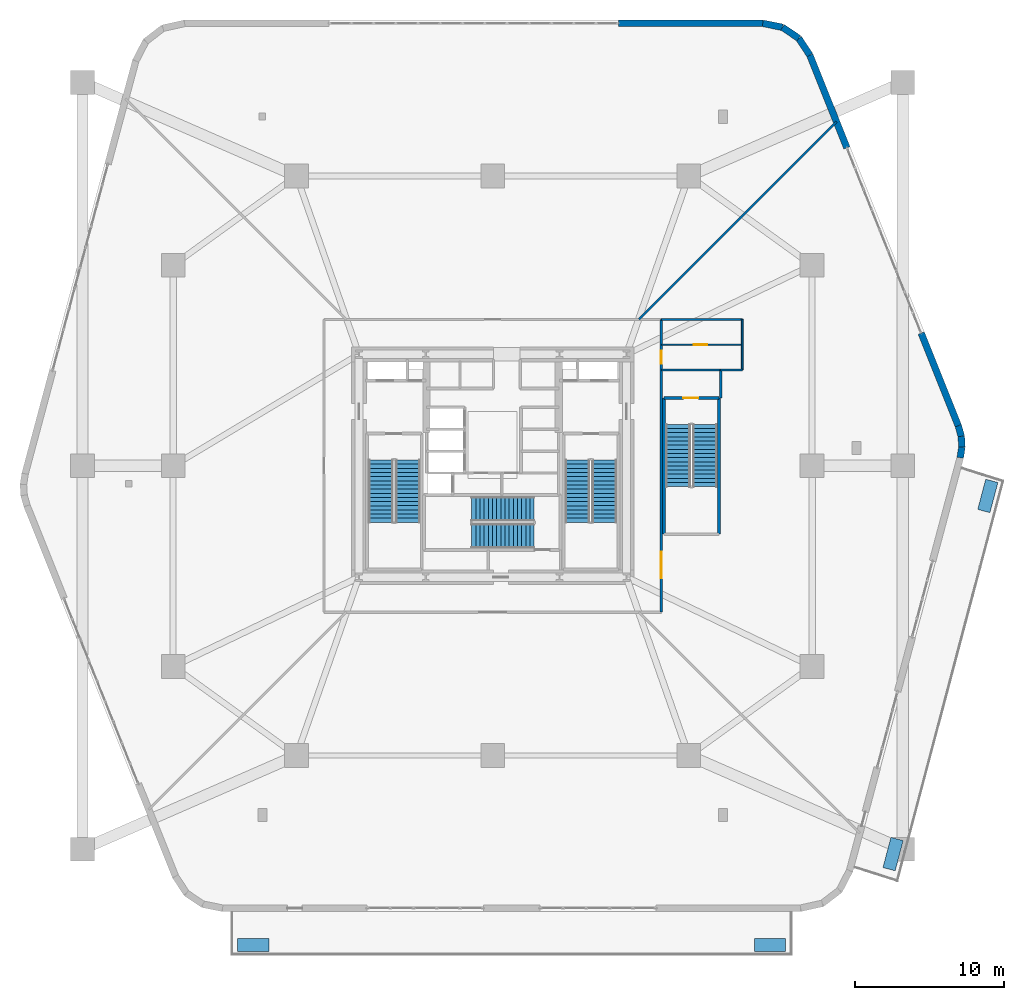
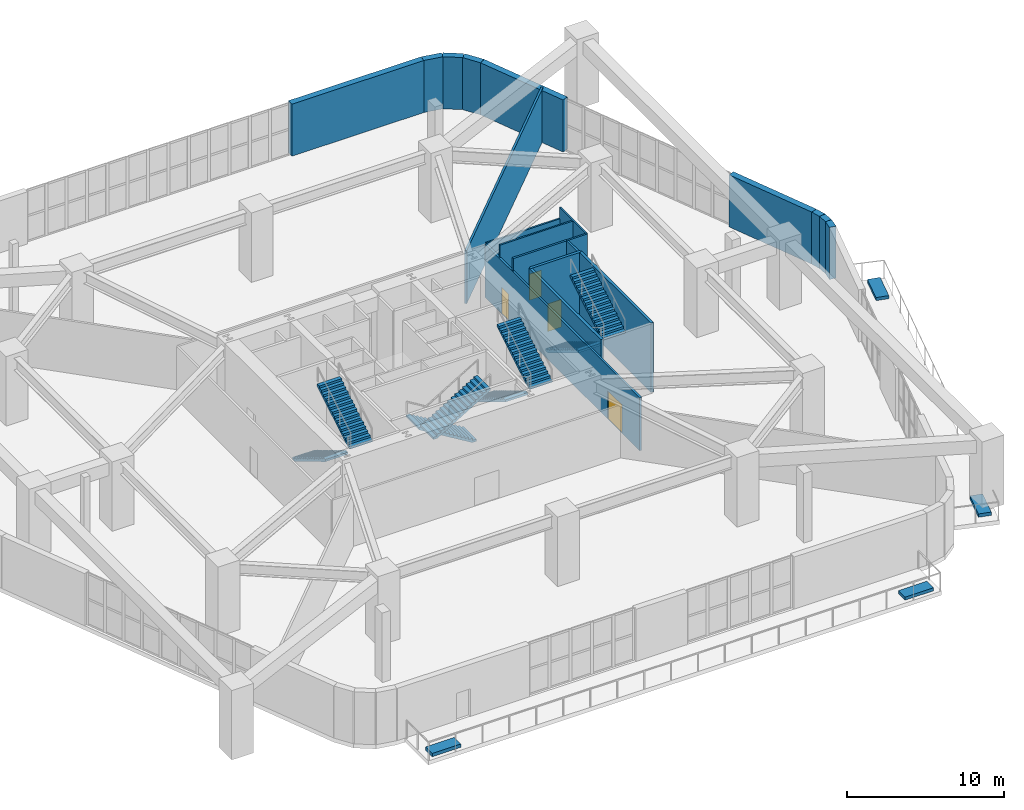
# One storey, part 29 of 34: 20 walls, 8 stair flights, 4 discrete accessories, 4 doors, 4 openings, 4 elements without a shape of their own.
"""IFC4 building model written with IfcOpenShell, lengths in metres."""

from ifc_helpers import new_model, si_unit, direction, frame, frame_2d, origin, origin_2d, place, context, subcontext, project, spatial, polyline, rectangle, outline, extrude, material, layer, layer_set, type_object, element, fill, aggregate, save


model = new_model("IFC4")

# Units and contexts
model_context = context("Model", 3, precision=1e-05, world=origin(), true_north=direction((0.0, 1.0)))
body_context = subcontext(model_context, "Body", "Model", "MODEL_VIEW")
ifc_project = project(units=[si_unit("LENGTHUNIT", "METRE"), si_unit("AREAUNIT", "SQUARE_METRE"), si_unit("VOLUMEUNIT", "CUBIC_METRE"), si_unit("PLANEANGLEUNIT", "RADIAN"), si_unit("MASSUNIT", "GRAM", prefix="KILO")], contexts=[model_context])

# Site, building, storey
site_placement = place(None, origin())
site = spatial("IfcSite", under=ifc_project, at=site_placement, CompositionType="ELEMENT")
building_placement = place(site_placement, origin())
building = spatial("IfcBuilding", under=site, at=building_placement, Name="Kilnhurst Terrace Hotel", CompositionType="ELEMENT")
storey_placement = place(building_placement, frame((0.0, 0.0, 6.0)))
storey = spatial("IfcBuildingStorey", under=building, at=storey_placement, Name="L01", CompositionType="ELEMENT", Elevation=6.0)

# Walls
ifc_material_1 = material(Name="Precast concrete C40/50", Category="concrete")
ifc_layer_1 = layer(ifc_material_1, 0.449951171875, Name="Precast concrete C40/50")
ifc_layer_set_1 = layer_set([ifc_layer_1], Name="Precast concrete C40/50")
wall_type_1 = type_object("IfcWallType", Name="WL-BRK-450", PredefinedType="SOLIDWALL", material=ifc_layer_set_1)
wall_1_placement = place(storey_placement, frame((31.46923828125, 0.538818359375, 0.0), z_axis=(0.0, 0.0, 1.0), x_axis=(0.154082468729, 0.988057990621, 0.0)))
element("IfcWall", 1, at=wall_1_placement, inside=storey, type_object=wall_type_1, Name="L01 Rounded Corner Brick Wall C3.1", PredefinedType="SOLIDWALL", context=body_context, shape_type="SweptSolid", body=[
    extrude(rectangle(XDim=0.733642578125, YDim=0.449951171875, at=frame_2d((0.36669921875, 0.0))), origin(), (0.0, 0.0, 1.0), 4.050048828125),
])
wall_2_placement = place(storey_placement, frame((31.582275390625, 1.263671875, 0.0), z_axis=(0.0, 0.0, 1.0), x_axis=(-0.059555119752, 0.998225018576, 0.0)))
element("IfcWall", 2, at=wall_2_placement, inside=storey, type_object=wall_type_1, Name="L01 Rounded Corner Brick Wall C3.2", PredefinedType="SOLIDWALL", context=body_context, shape_type="SweptSolid", body=[
    extrude(rectangle(XDim=0.721435546875, YDim=0.449951171875, at=frame_2d((0.36083984375, 0.0))), origin(), (0.0, 0.0, 1.0), 4.050048828125),
])
wall_3_placement = place(storey_placement, frame((31.539306640625, 1.98388671875, 0.0), z_axis=(0.0, 0.0, 1.0), x_axis=(-0.270543197703, 0.962707836354, 0.0)))
element("IfcWall", 3, at=wall_3_placement, inside=storey, type_object=wall_type_1, Name="L01 Rounded Corner Brick Wall C3.3", PredefinedType="SOLIDWALL", context=body_context, shape_type="SweptSolid", body=[
    extrude(rectangle(XDim=0.733642578125, YDim=0.449951171875, at=frame_2d((0.36669921875, 0.0))), origin(), (0.0, 0.0, 1.0), 4.050048828125),
])
wall_4_placement = place(storey_placement, frame((21.345458984375, 27.634521484375, 0.0), z_axis=(0.0, 0.0, 1.0), x_axis=(-0.547463611757, 0.836829489085, 0.0)))
element("IfcWall", 4, at=wall_4_placement, inside=storey, type_object=wall_type_1, Name="L01 Rounded Corner Brick Wall C4.1", PredefinedType="SOLIDWALL", context=body_context, shape_type="SweptSolid", body=[
    extrude(rectangle(XDim=1.350830078125, YDim=0.449951171875, at=frame_2d((0.67529296875, 0.0))), origin(), (0.0, 0.0, 1.0), 4.050048828125),
])
wall_5_placement = place(storey_placement, frame((20.60595703125, 28.764892578125, 0.0), z_axis=(0.0, 0.0, 1.0), x_axis=(-0.82832607687, 0.560246294389, 0.0)))
element("IfcWall", 5, at=wall_5_placement, inside=storey, type_object=wall_type_1, Name="L01 Rounded Corner Brick Wall C4.2", PredefinedType="SOLIDWALL", context=body_context, shape_type="SweptSolid", body=[
    extrude(rectangle(XDim=1.327880859375, YDim=0.449951171875, at=frame_2d((0.6640625, 0.0))), origin(), (0.0, 0.0, 1.0), 4.050048828125),
])
wall_6_placement = place(storey_placement, frame((19.506103515625, 29.5087890625, 0.0), z_axis=(0.0, 0.0, 1.0), x_axis=(-0.98039950709, 0.19701981245, 0.0)))
element("IfcWall", 6, at=wall_6_placement, inside=storey, type_object=wall_type_1, Name="L01 Rounded Corner Brick Wall C4.3", PredefinedType="SOLIDWALL", context=body_context, shape_type="SweptSolid", body=[
    extrude(rectangle(XDim=1.3505859375, YDim=0.449951171875, at=frame_2d((0.67529296875, 0.0))), origin(), (0.0, 0.0, 1.0), 4.050048828125),
])
wall_7_placement = place(storey_placement, frame((31.3408203125, 2.690185546875, 0.0), z_axis=(0.0, 0.0, 1.0), x_axis=(-0.371948252928, 0.928253466002, 0.0)))
element("IfcWall", 7, at=wall_7_placement, inside=storey, type_object=wall_type_1, Name="L01 Face 3 Brick Pier 1", PredefinedType="SOLIDWALL", context=body_context, shape_type="SweptSolid", body=[
    extrude(rectangle(XDim=6.718017578125, YDim=0.449951171875, at=frame_2d((3.35888671875, 0.0))), origin(), (0.0, 0.0, 1.0), 4.050048828125),
])
wall_8_placement = place(storey_placement, frame((23.844482421875, 21.398193359375, 0.0), z_axis=(0.0, 0.0, 1.0), x_axis=(-0.37196701808, 0.928245946644, 0.0)))
element("IfcWall", 8, at=wall_8_placement, inside=storey, type_object=wall_type_1, Name="L01 Face 3 End Brick Pier", PredefinedType="SOLIDWALL", context=body_context, shape_type="SweptSolid", body=[
    extrude(rectangle(XDim=6.718505859375, YDim=0.449951171875, at=frame_2d((3.359375, 0.0))), origin(), (0.0, 0.0, 1.0), 4.050048828125),
])
wall_9_placement = place(storey_placement, frame((18.181884765625, 29.77490234375, 0.0), z_axis=(0.0, 0.0, 1.0), x_axis=(-1.0, 0.0, 0.0)))
element("IfcWall", 9, at=wall_9_placement, inside=storey, type_object=wall_type_1, Name="L01 Face 4 Brick Pier 1", PredefinedType="SOLIDWALL", context=body_context, shape_type="SweptSolid", body=[
    extrude(rectangle(XDim=9.72900390625, YDim=0.449951171875, at=frame_2d((4.864501953125, 0.0))), origin(), (0.0, 0.0, 1.0), 4.050048828125),
])

# Wall, openings, doors
ifc_material_2 = material(Name="Acoustic Double-Gypsum Corridor Partition Assembly")
ifc_layer_2 = layer(ifc_material_2, 0.14990234375, Name="Acoustic Double-Gypsum Corridor Partition Assembly")
ifc_layer_set_2 = layer_set([ifc_layer_2], Name="Acoustic Double-Gypsum Corridor Partition Assembly")
wall_type_2 = type_object("IfcWallType", Name="WL-COR-150", PredefinedType="PARTITIONING", material=ifc_layer_set_2)
wall_10_placement = place(storey_placement, frame((11.35009765625, 9.85009765625, 0.0), z_axis=(0.0, 0.0, 1.0), x_axis=(0.0, -1.0, 0.0)))
wall_10 = element("IfcWall", 10, at=wall_10_placement, inside=storey, type_object=wall_type_2, Name="L01 Interior Wall WL-L01-COR-03", PredefinedType="PARTITIONING", context=body_context, shape_type="SweptSolid", body=[
    extrude(rectangle(XDim=19.7001953125, YDim=0.14990234375, at=frame_2d((9.85009765625, 0.0))), origin(), (0.0, 0.0, 1.0), 4.121826171875),
])
opening_1_placement = place(wall_10_placement, frame((2.10009765625, 0.0, 0.0)))
opening_1 = element("IfcOpeningElement", 11, at=opening_1_placement, cuts=wall_10, Name="Opening D-09B", PredefinedType="OPENING", context=body_context, shape_type="SweptSolid", body=[
    extrude(rectangle(XDim=0.89990234375, YDim=2.030029296875, at=frame_2d((0.449951171875, 1.01513671875))), frame((0.0, 0.0849609375, 0.0), z_axis=(0.0, -1.0, 0.0), x_axis=(1.0, 0.0, 0.0)), (0.0, 0.0, 1.0), 0.169921875),
])
opening_2_placement = place(wall_10_placement, frame((15.6279296875, 0.0, 0.0)))
opening_2 = element("IfcOpeningElement", 12, at=opening_2_placement, cuts=wall_10, Name="Opening D-18A", PredefinedType="OPENING", context=body_context, shape_type="SweptSolid", body=[
    extrude(rectangle(XDim=1.800048828125, YDim=2.199951171875, at=frame_2d((0.89990234375, 1.10009765625))), frame((0.0, 0.0849609375, 0.0), z_axis=(0.0, -1.0, 0.0), x_axis=(1.0, 0.0, 0.0)), (0.0, 0.0, 1.0), 0.169921875),
])
ifc_material_3 = material(Name="Bronze-Framed Acoustic Glazed Double Hospitality Door")
door_type_1 = type_object("IfcDoorType", Name="DR-INT-1800", OperationType="NOTDEFINED", PredefinedType="DOOR", material=ifc_material_3)
door_1_placement = place(opening_2_placement, origin())
door_1 = element("IfcDoor", 13, at=door_1_placement, inside=storey, type_object=door_type_1, Name="L01 Specialty Wood Fired Grill Restaurant Door", OperationType="DOUBLE_SWING_LEFT", OverallHeight=2.199951171875, OverallWidth=1.800048828125, PredefinedType="DOOR", context=body_context, shape_type="SweptSolid", body=[
    extrude(rectangle(XDim=1.800048828125, YDim=2.199951171875, at=frame_2d((0.89990234375, 1.10009765625))), frame((0.0, 0.02490234375, 0.0), z_axis=(0.0, -1.0, 0.0), x_axis=(1.0, 0.0, 0.0)), (0.0, 0.0, 1.0), 0.050048828125),
])
fill(opening_2, door_1)
ifc_material_4 = material(Name="Moisture-Resistant Solid-Core Restroom Door")
door_type_2 = type_object("IfcDoorType", Name="DR-INT-900", OperationType="NOTDEFINED", PredefinedType="DOOR", material=ifc_material_4)
door_2_placement = place(opening_1_placement, origin())
door_2 = element("IfcDoor", 14, at=door_2_placement, inside=storey, type_object=door_type_2, Name="L01 Public Restrooms Door", OperationType="SINGLE_SWING_LEFT", OverallHeight=2.030029296875, OverallWidth=0.89990234375, PredefinedType="DOOR", context=body_context, shape_type="SweptSolid", body=[
    extrude(rectangle(XDim=0.89990234375, YDim=2.030029296875, at=frame_2d((0.449951171875, 1.01513671875))), frame((0.0, 0.02490234375, 0.0), z_axis=(0.0, -1.0, 0.0), x_axis=(1.0, 0.0, 0.0)), (0.0, 0.0, 1.0), 0.050048828125),
])
fill(opening_1, door_2)

# Walls
wall_11_placement = place(storey_placement, frame((11.35009765625, 6.449951171875, 0.0), z_axis=(0.0, 0.0, 1.0), x_axis=(1.0, 0.0, 0.0)))
element("IfcWall", 15, at=wall_11_placement, inside=storey, type_object=wall_type_2, Name="L01 Interior Wall WL-L01-ST4-VEST-N", PredefinedType="PARTITIONING", context=body_context, shape_type="SweptSolid", body=[
    extrude(rectangle(XDim=4.0, YDim=0.14990234375, at=frame_2d((2.0, 0.0))), origin(), (0.0, 0.0, 1.0), 5.080078125),
])
wall_12_placement = place(storey_placement, frame((15.35009765625, 4.55810546875, 0.0), z_axis=(0.0, 0.0, 1.0), x_axis=(0.0, 1.0, 0.0)))
element("IfcWall", 16, at=wall_12_placement, inside=storey, type_object=wall_type_2, Name="L01 Interior Wall WL-L01-ST4-VEST-E", PredefinedType="PARTITIONING", context=body_context, shape_type="SweptSolid", body=[
    extrude(rectangle(XDim=1.891845703125, YDim=0.14990234375, at=frame_2d((0.94580078125, 0.0))), origin(), (0.0, 0.0, 1.0), 5.080078125),
])
ifc_material_5 = material(Name="120 mm Moisture-Resistant Tile-Backed Bathroom Partition")
ifc_layer_3 = layer(ifc_material_5, 0.1201171875, Name="120 mm Moisture-Resistant Tile-Backed Bathroom Partition")
ifc_layer_set_3 = layer_set([ifc_layer_3], Name="120 mm Moisture-Resistant Tile-Backed Bathroom Partition")
wall_type_3 = type_object("IfcWallType", Name="WL-PART-120", PredefinedType="PARTITIONING", material=ifc_layer_set_3)
wall_13_placement = place(storey_placement, frame((15.35009765625, 6.449951171875, 0.0), z_axis=(0.0, 0.0, 1.0), x_axis=(1.0, 0.0, 0.0)))
element("IfcWall", 17, at=wall_13_placement, inside=storey, type_object=wall_type_3, Name="L01 Interior Wall WL-L01-PWC-S", PredefinedType="PARTITIONING", context=body_context, shape_type="SweptSolid", body=[
    extrude(rectangle(XDim=1.449951171875, YDim=0.1201171875, at=frame_2d((0.72509765625, 0.0))), origin(), (0.0, 0.0, 1.0), 5.080078125),
])
wall_14_placement = place(storey_placement, frame((16.800048828125, 6.449951171875, 0.0), z_axis=(0.0, 0.0, 1.0), x_axis=(0.0, 1.0, 0.0)))
element("IfcWall", 18, at=wall_14_placement, inside=storey, type_object=wall_type_3, Name="L01 Interior Wall WL-L01-PWC-E", PredefinedType="PARTITIONING", context=body_context, shape_type="SweptSolid", body=[
    extrude(rectangle(XDim=3.400146484375, YDim=0.1201171875, at=frame_2d((1.7001953125, 0.0))), origin(), (0.0, 0.0, 1.0), 5.080078125),
])
wall_15_placement = place(storey_placement, frame((11.35009765625, 9.85009765625, 0.0), z_axis=(0.0, 0.0, 1.0), x_axis=(1.0, 0.0, 0.0)))
element("IfcWall", 19, at=wall_15_placement, inside=storey, type_object=wall_type_3, Name="L01 Interior Wall WL-L01-PWC-N", PredefinedType="PARTITIONING", context=body_context, shape_type="SweptSolid", body=[
    extrude(rectangle(XDim=5.449951171875, YDim=0.1201171875, at=frame_2d((2.72509765625, 0.0))), origin(), (0.0, 0.0, 1.0), 4.214111328125),
])

# Wall, opening, door
wall_16_placement = place(storey_placement, frame((11.35009765625, 8.14990234375, 0.0), z_axis=(0.0, 0.0, 1.0), x_axis=(1.0, 0.0, 0.0)))
wall_16 = element("IfcWall", 20, at=wall_16_placement, inside=storey, type_object=wall_type_3, Name="L01 Interior Wall WL-L01-PWC-MID", PredefinedType="PARTITIONING", context=body_context, shape_type="SweptSolid", body=[
    extrude(rectangle(XDim=5.449951171875, YDim=0.1201171875, at=frame_2d((2.72509765625, 0.0))), origin(), (0.0, 0.0, 1.0), 5.080078125),
])
opening_3_placement = place(wall_16_placement, frame((2.199951171875, 0.0, 0.0)))
opening_3 = element("IfcOpeningElement", 21, at=opening_3_placement, cuts=wall_16, Name="Opening D-09B", PredefinedType="OPENING", context=body_context, shape_type="SweptSolid", body=[
    extrude(rectangle(XDim=0.89990234375, YDim=2.030029296875, at=frame_2d((0.449951171875, 1.01513671875))), frame((0.0, 0.070068359375, 0.0), z_axis=(0.0, -1.0, 0.0), x_axis=(1.0, 0.0, 0.0)), (0.0, 0.0, 1.0), 0.14013671875),
])
door_3_placement = place(opening_3_placement, origin())
door_3 = element("IfcDoor", 22, at=door_3_placement, inside=storey, type_object=door_type_2, Name="L01 Accessible Restroom Door", OperationType="SINGLE_SWING_RIGHT", OverallHeight=2.030029296875, OverallWidth=0.89990234375, PredefinedType="DOOR", context=body_context, shape_type="SweptSolid", body=[
    extrude(rectangle(XDim=0.89990234375, YDim=2.030029296875, at=frame_2d((0.449951171875, 1.01513671875))), frame((0.0, 0.02490234375, 0.0), z_axis=(0.0, -1.0, 0.0), x_axis=(1.0, 0.0, 0.0)), (0.0, 0.0, 1.0), 0.050048828125),
])
fill(opening_3, door_3)

# Walls
ifc_material_6 = material(Name="150 mm Acoustic Gypsum Hospitality Partition")
ifc_layer_4 = layer(ifc_material_6, 0.14990234375, Name="150 mm Acoustic Gypsum Hospitality Partition")
ifc_layer_set_4 = layer_set([ifc_layer_4], Name="150 mm Acoustic Gypsum Hospitality Partition")
wall_type_4 = type_object("IfcWallType", Name="WL-PART-150", PredefinedType="PARTITIONING", material=ifc_layer_set_4)
wall_17_placement = place(storey_placement, frame((9.85009765625, 9.85009765625, 0.0), z_axis=(0.0, 0.0, 1.0), x_axis=(0.707106781187, 0.707106781187, 0.0)))
element("IfcWall", 23, at=wall_17_placement, inside=storey, type_object=wall_type_4, Name="L01 Interior Wall WL-L01-PDIV-3-1", PredefinedType="PARTITIONING", context=body_context, shape_type="SweptSolid", body=[
    extrude(rectangle(XDim=18.80126953125, YDim=0.14990234375, at=frame_2d((9.400634765625, 0.0))), origin(), (0.0, 0.0, 1.0), 4.121826171875),
])
ifc_material_7 = material(Name="Concrete C50/60", Category="concrete")
ifc_layer_5 = layer(ifc_material_7, 0.199951171875, Name="Concrete C50/60")
ifc_layer_set_5 = layer_set([ifc_layer_5], Name="Concrete C50/60")
wall_type_5 = type_object("IfcWallType", Name="WL-STAIR-RC-200", PredefinedType="SHEAR", material=ifc_layer_set_5)
for number, where, z_axis, x_axis, name in (
    (24, (11.5419921875, -4.60791015625, 0.0), (0.0, 0.0, 1.0), (0.0, 1.0, 0.0), "L01 Podium Stair ST-4 Structural Shaft Wall WL-L01-ST4-W"),
    (25, (15.22802734375, -4.60791015625, 0.0), (0.0, 0.0, 1.0), (0.0, 1.0, 0.0), "L01 Podium Stair ST-4 Structural Shaft Wall WL-L01-ST4-E"),
):
    element("IfcWall", number, at=place(storey_placement, frame(where, z_axis=z_axis, x_axis=x_axis)), inside=storey, type_object=wall_type_5, Name=name, PredefinedType="SHEAR", context=body_context, shape_type="SweptSolid", body=[
        extrude(rectangle(XDim=9.166015625, YDim=0.199951171875, at=frame_2d((4.5830078125, 0.0))), origin(), (0.0, 0.0, 1.0), 5.39990234375),
    ])

# Wall, opening, door
wall_18_placement = place(storey_placement, frame((11.5419921875, 4.55810546875, 0.0), z_axis=(0.0, 0.0, 1.0), x_axis=(1.0, 0.0, 0.0)))
wall_18 = element("IfcWall", 26, at=wall_18_placement, inside=storey, type_object=wall_type_5, Name="L01 Podium Stair ST-4 Structural Shaft Wall WL-L01-ST4-N", PredefinedType="SHEAR", context=body_context, shape_type="SweptSolid", body=[
    extrude(rectangle(XDim=3.68603515625, YDim=0.199951171875, at=frame_2d((1.843017578125, 0.0))), origin(), (0.0, 0.0, 1.0), 5.39990234375),
])
opening_4_placement = place(wall_18_placement, frame((1.300048828125, 0.0, 0.0)))
opening_4 = element("IfcOpeningElement", 27, at=opening_4_placement, cuts=wall_18, Name="Opening D-90B", PredefinedType="OPENING", context=body_context, shape_type="SweptSolid", body=[
    extrude(rectangle(XDim=1.0, YDim=2.14990234375, at=frame_2d((0.5, 1.074951171875))), frame((0.0, 0.10986328125, 0.0), z_axis=(0.0, -1.0, 0.0), x_axis=(1.0, 0.0, 0.0)), (0.0, 0.0, 1.0), 0.219970703125),
])
ifc_material_8 = material(Name="Painted Hollow Metal Steel ASTM A36 Fire Door", Category="steel")
door_type_3 = type_object("IfcDoorType", Name="DR-FD90-1000", OperationType="NOTDEFINED", PredefinedType="DOOR", material=ifc_material_8)
door_4_placement = place(opening_4_placement, origin())
door_4 = element("IfcDoor", 28, at=door_4_placement, inside=storey, type_object=door_type_3, Name="L01 Stair ST-4 Door", OperationType="SINGLE_SWING_RIGHT", OverallHeight=2.14990234375, OverallWidth=1.0, PredefinedType="DOOR", context=body_context, shape_type="SweptSolid", body=[
    extrude(rectangle(XDim=1.0, YDim=2.14990234375, at=frame_2d((0.5, 1.074951171875))), frame((0.0, 0.02490234375, 0.0), z_axis=(0.0, -1.0, 0.0), x_axis=(1.0, 0.0, 0.0)), (0.0, 0.0, 1.0), 0.050048828125),
])
fill(opening_4, door_4)

# Stair, stair flights
stair_type_1 = type_object("IfcStairType", Name="STR-CORE-1660", PredefinedType="HALF_TURN_STAIR", material=ifc_material_7)
stair_1_placement = place(storey_placement, origin())
stair_1 = element("IfcStair", 29, at=stair_1_placement, inside=storey, type_object=stair_type_1, Name="L01 ST-1", PredefinedType="HALF_TURN_STAIR")
stair_flight_type = type_object("IfcStairFlightType", Name="FLT-RC-1660", PredefinedType="STRAIGHT", material=ifc_material_7)
stair_flight_1_placement = place(storey_placement, frame((-7.52001953125, 0.389892578125, 0.0), z_axis=(0.0, 0.0, 1.0), x_axis=(0.0, -1.0, 0.0)))
stair_flight_1 = element("IfcStairFlight", 30, at=stair_flight_1_placement, type_object=stair_flight_type, Name="ST-1 flight 1", NumberOfRisers=16, NumberOfTreads=15, PredefinedType="STRAIGHT", RiserHeight=0.16875, TreadLength=0.28, context=body_context, shape_type="SweptSolid", body=[
    extrude(outline(polyline([(0.0, 0.0), (0.0, 0.168701171875), (0.280029296875, 0.168701171875), (0.280029296875, 0.33740234375), (0.56005859375, 0.33740234375), (0.56005859375, 0.50634765625), (0.840087890625, 0.50634765625), (0.840087890625, 0.675048828125), (1.1201171875, 0.675048828125), (1.1201171875, 0.84375), (1.39990234375, 0.84375), (1.39990234375, 1.012451171875), (1.679931640625, 1.012451171875), (1.679931640625, 1.18115234375), (1.9599609375, 1.18115234375), (1.9599609375, 1.35009765625), (2.239990234375, 1.35009765625), (2.239990234375, 1.518798828125), (2.52001953125, 1.518798828125), (2.52001953125, 1.6875), (2.800048828125, 1.6875), (2.800048828125, 1.856201171875), (3.080078125, 1.856201171875), (3.080078125, 2.02490234375), (3.360107421875, 2.02490234375), (3.360107421875, 2.19384765625), (3.639892578125, 2.19384765625), (3.639892578125, 2.362548828125), (3.919921875, 2.362548828125), (3.919921875, 2.53125), (4.199951171875, 2.53125), (4.199951171875, 2.699951171875), (4.199951171875, 2.356201171875), (0.29052734375, 0.0), (0.0, 0.0)])), frame((0.0, 0.830078125, 0.0), z_axis=(0.0, -1.0, 0.0), x_axis=(1.0, 0.0, 0.0)), (0.0, 0.0, 1.0), 1.659912109375),
])
stair_flight_2_placement = place(storey_placement, frame((-5.7099609375, -3.81005859375, 2.699951171875), z_axis=(0.0, 0.0, 1.0), x_axis=(0.0, 1.0, 0.0)))
stair_flight_2 = element("IfcStairFlight", 31, at=stair_flight_2_placement, type_object=stair_flight_type, Name="ST-1 flight 2", NumberOfRisers=16, NumberOfTreads=15, PredefinedType="STRAIGHT", RiserHeight=0.16875, TreadLength=0.28, context=body_context, shape_type="SweptSolid", body=[
    extrude(outline(polyline([(0.0, 0.0), (0.0, 0.168701171875), (0.280029296875, 0.168701171875), (0.280029296875, 0.33740234375), (0.56005859375, 0.33740234375), (0.56005859375, 0.50634765625), (0.840087890625, 0.50634765625), (0.840087890625, 0.675048828125), (1.1201171875, 0.675048828125), (1.1201171875, 0.84375), (1.39990234375, 0.84375), (1.39990234375, 1.012451171875), (1.679931640625, 1.012451171875), (1.679931640625, 1.18115234375), (1.9599609375, 1.18115234375), (1.9599609375, 1.35009765625), (2.239990234375, 1.35009765625), (2.239990234375, 1.518798828125), (2.52001953125, 1.518798828125), (2.52001953125, 1.6875), (2.800048828125, 1.6875), (2.800048828125, 1.856201171875), (3.080078125, 1.856201171875), (3.080078125, 2.02490234375), (3.360107421875, 2.02490234375), (3.360107421875, 2.19384765625), (3.639892578125, 2.19384765625), (3.639892578125, 2.362548828125), (3.919921875, 2.362548828125), (3.919921875, 2.53125), (4.199951171875, 2.53125), (4.199951171875, 2.699951171875), (4.199951171875, 2.356201171875), (0.29052734375, 0.0), (0.0, 0.0)])), frame((0.0, 0.830078125, 0.0), z_axis=(0.0, -1.0, 0.0), x_axis=(1.0, 0.0, 0.0)), (0.0, 0.0, 1.0), 1.659912109375),
])
aggregate(stair_1, [stair_flight_1, stair_flight_2])

stair_2_placement = place(storey_placement, origin())
stair_2 = element("IfcStair", 32, at=stair_2_placement, inside=storey, type_object=stair_type_1, Name="L01 ST-2", PredefinedType="HALF_TURN_STAIR")
stair_flight_3_placement = place(storey_placement, frame((5.7099609375, 0.389892578125, 0.0), z_axis=(0.0, 0.0, 1.0), x_axis=(0.0, -1.0, 0.0)))
stair_flight_3 = element("IfcStairFlight", 33, at=stair_flight_3_placement, type_object=stair_flight_type, Name="ST-2 flight 1", NumberOfRisers=16, NumberOfTreads=15, PredefinedType="STRAIGHT", RiserHeight=0.16875, TreadLength=0.28, context=body_context, shape_type="SweptSolid", body=[
    extrude(outline(polyline([(0.0, 0.0), (0.0, 0.168701171875), (0.280029296875, 0.168701171875), (0.280029296875, 0.33740234375), (0.56005859375, 0.33740234375), (0.56005859375, 0.50634765625), (0.840087890625, 0.50634765625), (0.840087890625, 0.675048828125), (1.1201171875, 0.675048828125), (1.1201171875, 0.84375), (1.39990234375, 0.84375), (1.39990234375, 1.012451171875), (1.679931640625, 1.012451171875), (1.679931640625, 1.18115234375), (1.9599609375, 1.18115234375), (1.9599609375, 1.35009765625), (2.239990234375, 1.35009765625), (2.239990234375, 1.518798828125), (2.52001953125, 1.518798828125), (2.52001953125, 1.6875), (2.800048828125, 1.6875), (2.800048828125, 1.856201171875), (3.080078125, 1.856201171875), (3.080078125, 2.02490234375), (3.360107421875, 2.02490234375), (3.360107421875, 2.19384765625), (3.639892578125, 2.19384765625), (3.639892578125, 2.362548828125), (3.919921875, 2.362548828125), (3.919921875, 2.53125), (4.199951171875, 2.53125), (4.199951171875, 2.699951171875), (4.199951171875, 2.356201171875), (0.29052734375, 0.0), (0.0, 0.0)])), frame((0.0, 0.830078125, 0.0), z_axis=(0.0, -1.0, 0.0), x_axis=(1.0, 0.0, 0.0)), (0.0, 0.0, 1.0), 1.659912109375),
])
stair_flight_4_placement = place(storey_placement, frame((7.52001953125, -3.81005859375, 2.699951171875), z_axis=(0.0, 0.0, 1.0), x_axis=(0.0, 1.0, 0.0)))
stair_flight_4 = element("IfcStairFlight", 34, at=stair_flight_4_placement, type_object=stair_flight_type, Name="ST-2 flight 2", NumberOfRisers=16, NumberOfTreads=15, PredefinedType="STRAIGHT", RiserHeight=0.16875, TreadLength=0.28, context=body_context, shape_type="SweptSolid", body=[
    extrude(outline(polyline([(0.0, 0.0), (0.0, 0.168701171875), (0.280029296875, 0.168701171875), (0.280029296875, 0.33740234375), (0.56005859375, 0.33740234375), (0.56005859375, 0.50634765625), (0.840087890625, 0.50634765625), (0.840087890625, 0.675048828125), (1.1201171875, 0.675048828125), (1.1201171875, 0.84375), (1.39990234375, 0.84375), (1.39990234375, 1.012451171875), (1.679931640625, 1.012451171875), (1.679931640625, 1.18115234375), (1.9599609375, 1.18115234375), (1.9599609375, 1.35009765625), (2.239990234375, 1.35009765625), (2.239990234375, 1.518798828125), (2.52001953125, 1.518798828125), (2.52001953125, 1.6875), (2.800048828125, 1.6875), (2.800048828125, 1.856201171875), (3.080078125, 1.856201171875), (3.080078125, 2.02490234375), (3.360107421875, 2.02490234375), (3.360107421875, 2.19384765625), (3.639892578125, 2.19384765625), (3.639892578125, 2.362548828125), (3.919921875, 2.362548828125), (3.919921875, 2.53125), (4.199951171875, 2.53125), (4.199951171875, 2.699951171875), (4.199951171875, 2.356201171875), (0.29052734375, 0.0), (0.0, 0.0)])), frame((0.0, 0.830078125, 0.0), z_axis=(0.0, -1.0, 0.0), x_axis=(1.0, 0.0, 0.0)), (0.0, 0.0, 1.0), 1.659912109375),
])
aggregate(stair_2, [stair_flight_3, stair_flight_4])

stair_3_placement = place(storey_placement, origin())
stair_3 = element("IfcStair", 35, at=stair_3_placement, inside=storey, type_object=stair_type_1, Name="L01 ST-3", PredefinedType="HALF_TURN_STAIR")
stair_flight_5_placement = place(storey_placement, frame((2.7900390625, -2.909912109375, 0.0), z_axis=(0.0, 0.0, 1.0), x_axis=(-1.0, 0.0, 0.0)))
stair_flight_5 = element("IfcStairFlight", 36, at=stair_flight_5_placement, type_object=stair_flight_type, Name="ST-3 flight 1", NumberOfRisers=16, NumberOfTreads=15, PredefinedType="STRAIGHT", RiserHeight=0.16875, TreadLength=0.28, context=body_context, shape_type="SweptSolid", body=[
    extrude(outline(polyline([(0.0, 0.0), (0.0, 0.168701171875), (0.280029296875, 0.168701171875), (0.280029296875, 0.33740234375), (0.56005859375, 0.33740234375), (0.56005859375, 0.50634765625), (0.840087890625, 0.50634765625), (0.840087890625, 0.675048828125), (1.1201171875, 0.675048828125), (1.1201171875, 0.84375), (1.39990234375, 0.84375), (1.39990234375, 1.012451171875), (1.679931640625, 1.012451171875), (1.679931640625, 1.18115234375), (1.9599609375, 1.18115234375), (1.9599609375, 1.35009765625), (2.239990234375, 1.35009765625), (2.239990234375, 1.518798828125), (2.52001953125, 1.518798828125), (2.52001953125, 1.6875), (2.800048828125, 1.6875), (2.800048828125, 1.856201171875), (3.080078125, 1.856201171875), (3.080078125, 2.02490234375), (3.360107421875, 2.02490234375), (3.360107421875, 2.19384765625), (3.639892578125, 2.19384765625), (3.639892578125, 2.362548828125), (3.919921875, 2.362548828125), (3.919921875, 2.53125), (4.199951171875, 2.53125), (4.199951171875, 2.699951171875), (4.199951171875, 2.356201171875), (0.29052734375, 0.0), (0.0, 0.0)])), frame((0.0, 0.830078125, 0.0), z_axis=(0.0, -1.0, 0.0), x_axis=(1.0, 0.0, 0.0)), (0.0, 0.0, 1.0), 1.659912109375),
])
stair_flight_6_placement = place(storey_placement, frame((-1.409912109375, -4.719970703125, 2.699951171875), z_axis=(0.0, 0.0, 1.0), x_axis=(1.0, 0.0, 0.0)))
stair_flight_6 = element("IfcStairFlight", 37, at=stair_flight_6_placement, type_object=stair_flight_type, Name="ST-3 flight 2", NumberOfRisers=16, NumberOfTreads=15, PredefinedType="STRAIGHT", RiserHeight=0.16875, TreadLength=0.28, context=body_context, shape_type="SweptSolid", body=[
    extrude(outline(polyline([(0.0, 0.0), (0.0, 0.168701171875), (0.280029296875, 0.168701171875), (0.280029296875, 0.33740234375), (0.56005859375, 0.33740234375), (0.56005859375, 0.50634765625), (0.840087890625, 0.50634765625), (0.840087890625, 0.675048828125), (1.1201171875, 0.675048828125), (1.1201171875, 0.84375), (1.39990234375, 0.84375), (1.39990234375, 1.012451171875), (1.679931640625, 1.012451171875), (1.679931640625, 1.18115234375), (1.9599609375, 1.18115234375), (1.9599609375, 1.35009765625), (2.239990234375, 1.35009765625), (2.239990234375, 1.518798828125), (2.52001953125, 1.518798828125), (2.52001953125, 1.6875), (2.800048828125, 1.6875), (2.800048828125, 1.856201171875), (3.080078125, 1.856201171875), (3.080078125, 2.02490234375), (3.360107421875, 2.02490234375), (3.360107421875, 2.19384765625), (3.639892578125, 2.19384765625), (3.639892578125, 2.362548828125), (3.919921875, 2.362548828125), (3.919921875, 2.53125), (4.199951171875, 2.53125), (4.199951171875, 2.699951171875), (4.199951171875, 2.356201171875), (0.29052734375, 0.0), (0.0, 0.0)])), frame((0.0, 0.830078125, 0.0), z_axis=(0.0, -1.0, 0.0), x_axis=(1.0, 0.0, 0.0)), (0.0, 0.0, 1.0), 1.659912109375),
])
aggregate(stair_3, [stair_flight_5, stair_flight_6])

ifc_material_9 = material(Name="Concrete C40/50", Category="concrete")
stair_type_2 = type_object("IfcStairType", Name="STR-POD-1660", PredefinedType="HALF_TURN_STAIR", material=ifc_material_9)
stair_4_placement = place(storey_placement, origin())
stair_4 = element("IfcStair", 38, at=stair_4_placement, inside=storey, type_object=stair_type_2, Name="L01 ST-4", PredefinedType="HALF_TURN_STAIR")
stair_flight_7_placement = place(storey_placement, frame((12.47998046875, 2.7900390625, 0.0), z_axis=(0.0, 0.0, 1.0), x_axis=(0.0, -1.0, 0.0)))
stair_flight_7 = element("IfcStairFlight", 39, at=stair_flight_7_placement, type_object=stair_flight_type, Name="ST-4 flight 1", NumberOfRisers=16, NumberOfTreads=15, PredefinedType="STRAIGHT", RiserHeight=0.16875, TreadLength=0.28, context=body_context, shape_type="SweptSolid", body=[
    extrude(outline(polyline([(0.0, 0.0), (0.0, 0.168701171875), (0.280029296875, 0.168701171875), (0.280029296875, 0.33740234375), (0.56005859375, 0.33740234375), (0.56005859375, 0.50634765625), (0.840087890625, 0.50634765625), (0.840087890625, 0.675048828125), (1.1201171875, 0.675048828125), (1.1201171875, 0.84375), (1.39990234375, 0.84375), (1.39990234375, 1.012451171875), (1.679931640625, 1.012451171875), (1.679931640625, 1.18115234375), (1.9599609375, 1.18115234375), (1.9599609375, 1.35009765625), (2.239990234375, 1.35009765625), (2.239990234375, 1.518798828125), (2.52001953125, 1.518798828125), (2.52001953125, 1.6875), (2.800048828125, 1.6875), (2.800048828125, 1.856201171875), (3.080078125, 1.856201171875), (3.080078125, 2.02490234375), (3.360107421875, 2.02490234375), (3.360107421875, 2.19384765625), (3.639892578125, 2.19384765625), (3.639892578125, 2.362548828125), (3.919921875, 2.362548828125), (3.919921875, 2.53125), (4.199951171875, 2.53125), (4.199951171875, 2.699951171875), (4.199951171875, 2.356201171875), (0.29052734375, 0.0), (0.0, 0.0)])), frame((0.0, 0.830078125, 0.0), z_axis=(0.0, -1.0, 0.0), x_axis=(1.0, 0.0, 0.0)), (0.0, 0.0, 1.0), 1.659912109375),
])
stair_flight_8_placement = place(storey_placement, frame((14.2900390625, -1.409912109375, 2.699951171875), z_axis=(0.0, 0.0, 1.0), x_axis=(0.0, 1.0, 0.0)))
stair_flight_8 = element("IfcStairFlight", 40, at=stair_flight_8_placement, type_object=stair_flight_type, Name="ST-4 flight 2", NumberOfRisers=16, NumberOfTreads=15, PredefinedType="STRAIGHT", RiserHeight=0.16875, TreadLength=0.28, context=body_context, shape_type="SweptSolid", body=[
    extrude(outline(polyline([(0.0, 0.0), (0.0, 0.168701171875), (0.280029296875, 0.168701171875), (0.280029296875, 0.33740234375), (0.56005859375, 0.33740234375), (0.56005859375, 0.50634765625), (0.840087890625, 0.50634765625), (0.840087890625, 0.675048828125), (1.1201171875, 0.675048828125), (1.1201171875, 0.84375), (1.39990234375, 0.84375), (1.39990234375, 1.012451171875), (1.679931640625, 1.012451171875), (1.679931640625, 1.18115234375), (1.9599609375, 1.18115234375), (1.9599609375, 1.35009765625), (2.239990234375, 1.35009765625), (2.239990234375, 1.518798828125), (2.52001953125, 1.518798828125), (2.52001953125, 1.6875), (2.800048828125, 1.6875), (2.800048828125, 1.856201171875), (3.080078125, 1.856201171875), (3.080078125, 2.02490234375), (3.360107421875, 2.02490234375), (3.360107421875, 2.19384765625), (3.639892578125, 2.19384765625), (3.639892578125, 2.362548828125), (3.919921875, 2.362548828125), (3.919921875, 2.53125), (4.199951171875, 2.53125), (4.199951171875, 2.699951171875), (4.199951171875, 2.356201171875), (0.29052734375, 0.0), (0.0, 0.0)])), frame((0.0, 0.830078125, 0.0), z_axis=(0.0, -1.0, 0.0), x_axis=(1.0, 0.0, 0.0)), (0.0, 0.0, 1.0), 1.659912109375),
])
aggregate(stair_4, [stair_flight_7, stair_flight_8])

# Discrete accessories
ifc_material_10 = material(Name="Precast Concrete C40/50 Shrub Planter", Category="concrete")
discrete_accessory_type_1 = type_object("IfcDiscreteAccessoryType", Name="PLN-SHRUB-240", PredefinedType="USERDEFINED", material=ifc_material_10)
for number, where, z_axis, x_axis, name in (
    (41, (18.65771484375, -32.25, 0.0), (0.0, 0.0, 1.0), (1.0, 0.0, 0.0), "L01 Structural Tree Planter Box PLANTER TERR-1.2"),
    (42, (33.32421875, -2.032470703125, 0.0), (0.0, 0.0, 1.0), (0.25580010005, 0.966729697907, 0.0), "L01 Structural Tree Planter Box PLANTER TERR-2.2"),
):
    element("IfcDiscreteAccessory", number, at=place(storey_placement, frame(where, z_axis=z_axis, x_axis=x_axis)), inside=storey, type_object=discrete_accessory_type_1, Name=name, ObjectType="PLANTER", PredefinedType="USERDEFINED", context=body_context, shape_type="SweptSolid", body=[
        extrude(rectangle(XDim=2.10009765625, YDim=0.85009765625, at=origin_2d()), origin(), (0.0, 0.0, 1.0), 0.239990234375),
    ])
ifc_material_11 = material(Name="Precast Concrete C40/50 Tree Planter", Category="concrete")
discrete_accessory_type_2 = type_object("IfcDiscreteAccessoryType", Name="PLN-TREE-260", PredefinedType="USERDEFINED", material=ifc_material_11)
for number, where, z_axis, x_axis, name in (
    (43, (-16.104248046875, -32.25, 0.0), (0.0, 0.0, 1.0), (1.0, 0.0, 0.0), "L01 Structural Tree Planter Box PLANTER TERR-1.1"),
    (44, (26.947265625, -26.132080078125, 0.0), (0.0, 0.0, 1.0), (0.25580010005, 0.966729697907, 0.0), "L01 Structural Tree Planter Box PLANTER TERR-2.1"),
):
    element("IfcDiscreteAccessory", number, at=place(storey_placement, frame(where, z_axis=z_axis, x_axis=x_axis)), inside=storey, type_object=discrete_accessory_type_2, Name=name, ObjectType="PLANTER", PredefinedType="USERDEFINED", context=body_context, shape_type="SweptSolid", body=[
        extrude(rectangle(XDim=2.10009765625, YDim=0.85009765625, at=origin_2d()), origin(), (0.0, 0.0, 1.0), 0.260009765625),
    ])

save(model, "model.ifc")
